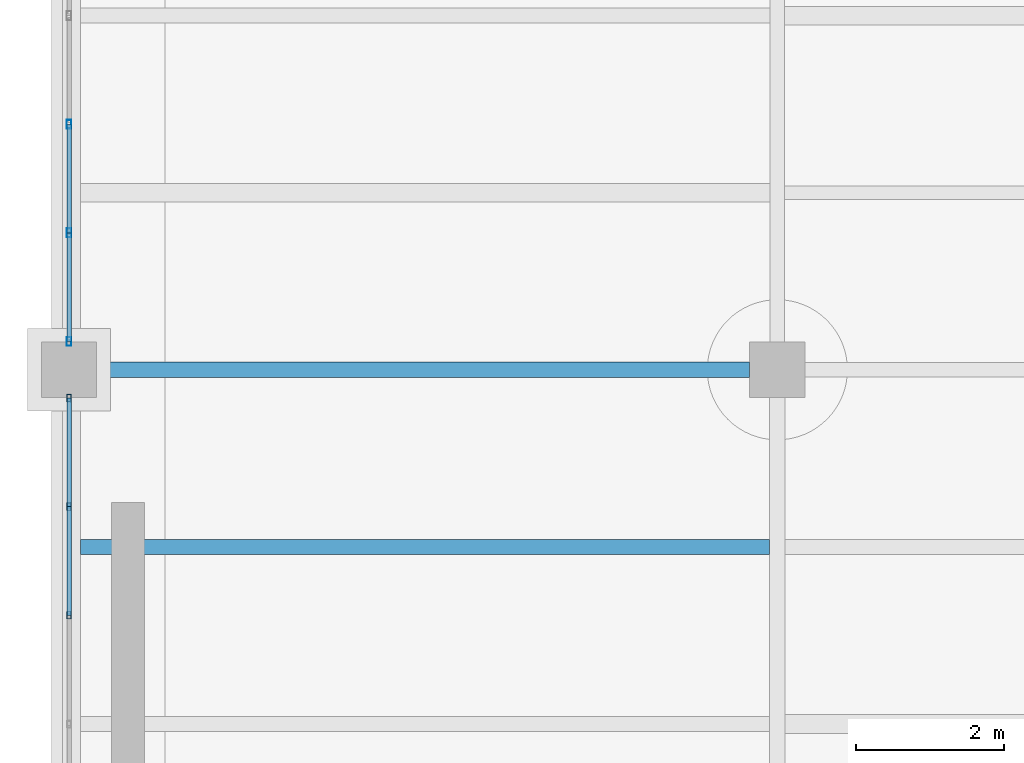
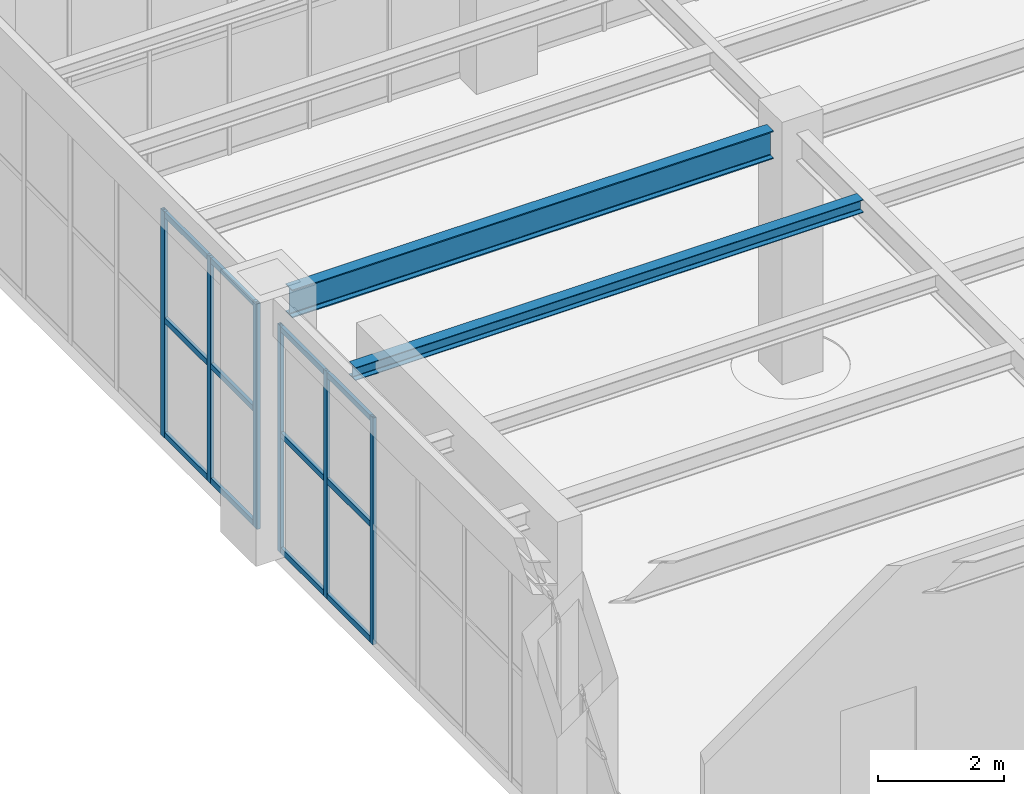
# One storey, part 14 of 174: 18 members, 2 beams, 2 elements without a shape of their own.
"""IFC4 building model written with IfcOpenShell, lengths in metres."""

from ifc_helpers import new_model, si_unit, direction, frame, origin, origin_2d, place, context, subcontext, project, spatial, hollow_rectangle, i_section, extrude, material, material_profile, profile_set, type_object, element, aggregate, save


model = new_model("IFC4")

# Units and contexts
model_context = context("Model", 3, precision=1e-05, world=origin(), true_north=direction((0.0, 1.0)))
body_context = subcontext(model_context, "Body", "Model", "MODEL_VIEW")
ifc_project = project(units=[si_unit("LENGTHUNIT", "METRE"), si_unit("AREAUNIT", "SQUARE_METRE"), si_unit("VOLUMEUNIT", "CUBIC_METRE"), si_unit("PLANEANGLEUNIT", "RADIAN"), si_unit("MASSUNIT", "GRAM", prefix="KILO")], contexts=[model_context])

# Site, building, storey
site_placement = place(None, origin())
site = spatial("IfcSite", under=ifc_project, at=site_placement, CompositionType="ELEMENT")
building_placement = place(site_placement, origin())
building = spatial("IfcBuilding", under=site, at=building_placement, Name="Mavantir Sound Aquarium", CompositionType="ELEMENT")
storey_placement = place(building_placement, frame((0.0, 0.0, 5.39990234375)))
storey = spatial("IfcBuildingStorey", under=building, at=storey_placement, Name="L01", CompositionType="ELEMENT", Elevation=5.39990234375)

# Beams
ifc_material_1 = material(Name="Structural Steel ASTM A992 Gr50", Category="steel")
ifc_material_profile_1 = material_profile(ifc_material_1, i_section(OverallWidth=0.202880859375, OverallDepth=0.251953125, WebThickness=0.008056640625, FlangeThickness=0.013427734375, FilletRadius=0.011962890625, at=origin_2d()), Name="W250X58")
ifc_profile_set_1 = profile_set([ifc_material_profile_1], Name="Structural Steel ASTM A992 Gr50")
beam_type_1 = type_object("IfcBeamType", Name="BM-W250X58-I", PredefinedType="JOIST", material=ifc_profile_set_1)
beam_1_placement = place(storey_placement, frame((0.152587890625, 16.800048828125, 4.670166015625), z_axis=(1.0, 0.0, 0.0), x_axis=(0.0, 1.0, 0.0)))
element("IfcBeam", 1, at=beam_1_placement, inside=storey, type_object=beam_type_1, Name="L01 secondary floor joist SJ-25 700", PredefinedType="JOIST", context=body_context, shape_type="SweptSolid", body=[
    extrude(i_section(OverallWidth=0.202880859375, OverallDepth=0.251953125, WebThickness=0.008056640625, FlangeThickness=0.013427734375, FilletRadius=0.011962890625, at=origin_2d()), origin(), (0.0, 0.0, 1.0), 9.34130859375),
])
ifc_material_profile_2 = material_profile(ifc_material_1, i_section(OverallWidth=0.2119140625, OverallDepth=0.5439453125, WebThickness=0.01318359375, FlangeThickness=0.021240234375, FilletRadius=0.01806640625, at=origin_2d()), Name="W530X123")
ifc_profile_set_2 = profile_set([ifc_material_profile_2], Name="Structural Steel ASTM A992 Gr50")
beam_type_2 = type_object("IfcBeamType", Name="BM-W530X123-I", PredefinedType="BEAM", material=ifc_profile_set_2)
beam_2_placement = place(storey_placement, frame((0.375, 19.199951171875, 4.504150390625), z_axis=(1.0, 0.0, 0.0), x_axis=(0.0, 1.0, 0.0)))
element("IfcBeam", 2, at=beam_2_placement, inside=storey, type_object=beam_type_2, Name="L01 primary beam SB-53 1214", PredefinedType="BEAM", context=body_context, shape_type="SweptSolid", body=[
    extrude(i_section(OverallWidth=0.2119140625, OverallDepth=0.5439453125, WebThickness=0.01318359375, FlangeThickness=0.021240234375, FilletRadius=0.01806640625, at=origin_2d()), origin(), (0.0, 0.0, 1.0), 8.85009765625),
])

# Curtain wall, members
ifc_material_2 = material(Name="Anodised Marine Aluminium and Low-E Glass", Category="aluminium")
curtain_wall_type_1 = type_object("IfcCurtainWallType", Name="CW-T03", PredefinedType="USERDEFINED", material=ifc_material_2)
curtain_wall_1_placement = place(storey_placement, origin())
curtain_wall_1 = element("IfcCurtainWall", 3, at=curtain_wall_1_placement, inside=storey, type_object=curtain_wall_type_1, Name="L01 unitised curtain wall CW-03 75", ObjectType="UNITISED GLAZING", PredefinedType="USERDEFINED")
ifc_material_3 = material(Name="Anodised Marine Aluminium 6063-T6", Category="aluminium")
ifc_material_profile_3 = material_profile(ifc_material_3, hollow_rectangle(XDim=0.06005859375, YDim=0.10009765625, WallThickness=0.00390625, at=origin_2d()), Name="ALU-MULLION-100X60")
ifc_profile_set_3 = profile_set([ifc_material_profile_3], Name="Anodised Marine Aluminium 6063-T6")
member_type_1 = type_object("IfcMemberType", Name="CW-MUL-100", PredefinedType="MULLION", material=ifc_profile_set_3)
member_1_placement = place(storey_placement, frame((0.0, 18.81689453125, 0.0), z_axis=(0.0, 0.0, 1.0), x_axis=(1.0, 0.0, 0.0)))
member_1 = element("IfcMember", 4, at=member_1_placement, type_object=member_type_1, Name="CW-L01-075 vertical mullion 1", PredefinedType="MULLION", context=body_context, shape_type="SweptSolid", body=[
    extrude(hollow_rectangle(XDim=0.06005859375, YDim=0.10009765625, WallThickness=0.00390625, at=origin_2d()), origin(), (0.0, 0.0, 1.0), 4.4130859375),
])
member_2_placement = place(storey_placement, frame((0.0, 17.3447265625, 0.0), z_axis=(0.0, 0.0, 1.0), x_axis=(1.0, 0.0, 0.0)))
member_2 = element("IfcMember", 5, at=member_2_placement, type_object=member_type_1, Name="CW-L01-075 vertical mullion 2", PredefinedType="MULLION", context=body_context, shape_type="SweptSolid", body=[
    extrude(hollow_rectangle(XDim=0.06005859375, YDim=0.10009765625, WallThickness=0.00390625, at=origin_2d()), origin(), (0.0, 0.0, 1.0), 4.4130859375),
])
member_3_placement = place(storey_placement, frame((0.0, 15.872314453125, 0.0), z_axis=(0.0, 0.0, 1.0), x_axis=(1.0, 0.0, 0.0)))
member_3 = element("IfcMember", 6, at=member_3_placement, type_object=member_type_1, Name="CW-L01-075 vertical mullion 3", PredefinedType="MULLION", context=body_context, shape_type="SweptSolid", body=[
    extrude(hollow_rectangle(XDim=0.06005859375, YDim=0.10009765625, WallThickness=0.00390625, at=origin_2d()), origin(), (0.0, 0.0, 1.0), 4.4130859375),
])

curtain_wall_type_2 = type_object("IfcCurtainWallType", Name="CW-T02", PredefinedType="USERDEFINED", material=ifc_material_2)
curtain_wall_2_placement = place(storey_placement, origin())
curtain_wall_2 = element("IfcCurtainWall", 7, at=curtain_wall_2_placement, inside=storey, type_object=curtain_wall_type_2, Name="L01 unitised curtain wall CW-02 74", ObjectType="UNITISED GLAZING", PredefinedType="USERDEFINED")
ifc_material_profile_4 = material_profile(ifc_material_3, hollow_rectangle(XDim=0.06494140625, YDim=0.1201171875, WallThickness=0.00390625, at=origin_2d()), Name="ALU-MULLION-120X65")
ifc_profile_set_4 = profile_set([ifc_material_profile_4], Name="Anodised Marine Aluminium 6063-T6")
member_type_2 = type_object("IfcMemberType", Name="CW-MUL-120", PredefinedType="MULLION", material=ifc_profile_set_4)
member_4_placement = place(storey_placement, frame((0.0, 22.527587890625, 0.0), z_axis=(0.0, 0.0, 1.0), x_axis=(1.0, 0.0, 0.0)))
member_4 = element("IfcMember", 8, at=member_4_placement, type_object=member_type_2, Name="CW-L01-074 vertical mullion 5", PredefinedType="MULLION", context=body_context, shape_type="SweptSolid", body=[
    extrude(hollow_rectangle(XDim=0.06494140625, YDim=0.1201171875, WallThickness=0.00390625, at=origin_2d()), origin(), (0.0, 0.0, 1.0), 4.39306640625),
])
member_5_placement = place(storey_placement, frame((0.0, 21.055419921875, 0.0), z_axis=(0.0, 0.0, 1.0), x_axis=(1.0, 0.0, 0.0)))
member_5 = element("IfcMember", 9, at=member_5_placement, type_object=member_type_2, Name="CW-L01-074 vertical mullion 6", PredefinedType="MULLION", context=body_context, shape_type="SweptSolid", body=[
    extrude(hollow_rectangle(XDim=0.06494140625, YDim=0.1201171875, WallThickness=0.00390625, at=origin_2d()), origin(), (0.0, 0.0, 1.0), 4.39306640625),
])
member_6_placement = place(storey_placement, frame((0.0, 19.5830078125, 0.0), z_axis=(0.0, 0.0, 1.0), x_axis=(1.0, 0.0, 0.0)))
member_6 = element("IfcMember", 10, at=member_6_placement, type_object=member_type_2, Name="CW-L01-074 vertical mullion 7", PredefinedType="MULLION", context=body_context, shape_type="SweptSolid", body=[
    extrude(hollow_rectangle(XDim=0.06494140625, YDim=0.1201171875, WallThickness=0.00390625, at=origin_2d()), origin(), (0.0, 0.0, 1.0), 4.39306640625),
])
ifc_material_profile_5 = material_profile(ifc_material_3, hollow_rectangle(XDim=0.06005859375, YDim=0.110107421875, WallThickness=0.00390625, at=origin_2d()), Name="ALU-TRANSOM-110X60")
ifc_profile_set_5 = profile_set([ifc_material_profile_5], Name="Anodised Marine Aluminium 6063-T6")
member_type_3 = type_object("IfcMemberType", Name="CW-TRN-110", PredefinedType="USERDEFINED", material=ifc_profile_set_5)
member_7_placement = place(storey_placement, frame((0.0, 22.527587890625, 0.05517578125), z_axis=(0.0, -1.0, 0.0), x_axis=(1.0, 0.0, 0.0)))
member_7 = element("IfcMember", 11, at=member_7_placement, type_object=member_type_3, Name="CW-L01-074 transom 5.1", ObjectType="TRANSOM", PredefinedType="USERDEFINED", context=body_context, shape_type="SweptSolid", body=[
    extrude(hollow_rectangle(XDim=0.06005859375, YDim=0.110107421875, WallThickness=0.00390625, at=origin_2d()), origin(), (0.0, 0.0, 1.0), 1.47216796875),
])
member_8_placement = place(storey_placement, frame((0.0, 22.527587890625, 2.284423828125), z_axis=(0.0, -1.0, 0.0), x_axis=(1.0, 0.0, 0.0)))
member_8 = element("IfcMember", 12, at=member_8_placement, type_object=member_type_3, Name="CW-L01-074 transom 5.2", ObjectType="TRANSOM", PredefinedType="USERDEFINED", context=body_context, shape_type="SweptSolid", body=[
    extrude(hollow_rectangle(XDim=0.06005859375, YDim=0.110107421875, WallThickness=0.00390625, at=origin_2d()), origin(), (0.0, 0.0, 1.0), 1.47216796875),
])
member_9_placement = place(storey_placement, frame((0.0, 22.527587890625, 4.338134765625), z_axis=(0.0, -1.0, 0.0), x_axis=(1.0, 0.0, 0.0)))
member_9 = element("IfcMember", 13, at=member_9_placement, type_object=member_type_3, Name="CW-L01-074 transom 5.3", ObjectType="TRANSOM", PredefinedType="USERDEFINED", context=body_context, shape_type="SweptSolid", body=[
    extrude(hollow_rectangle(XDim=0.06005859375, YDim=0.110107421875, WallThickness=0.00390625, at=origin_2d()), origin(), (0.0, 0.0, 1.0), 1.47216796875),
])
member_10_placement = place(storey_placement, frame((0.0, 21.055419921875, 0.05517578125), z_axis=(0.0, -1.0, 0.0), x_axis=(1.0, 0.0, 0.0)))
member_10 = element("IfcMember", 14, at=member_10_placement, type_object=member_type_3, Name="CW-L01-074 transom 6.1", ObjectType="TRANSOM", PredefinedType="USERDEFINED", context=body_context, shape_type="SweptSolid", body=[
    extrude(hollow_rectangle(XDim=0.06005859375, YDim=0.110107421875, WallThickness=0.00390625, at=origin_2d()), origin(), (0.0, 0.0, 1.0), 1.472412109375),
])
member_11_placement = place(storey_placement, frame((0.0, 21.055419921875, 2.284423828125), z_axis=(0.0, -1.0, 0.0), x_axis=(1.0, 0.0, 0.0)))
member_11 = element("IfcMember", 15, at=member_11_placement, type_object=member_type_3, Name="CW-L01-074 transom 6.2", ObjectType="TRANSOM", PredefinedType="USERDEFINED", context=body_context, shape_type="SweptSolid", body=[
    extrude(hollow_rectangle(XDim=0.06005859375, YDim=0.110107421875, WallThickness=0.00390625, at=origin_2d()), origin(), (0.0, 0.0, 1.0), 1.472412109375),
])
member_12_placement = place(storey_placement, frame((0.0, 21.055419921875, 4.338134765625), z_axis=(0.0, -1.0, 0.0), x_axis=(1.0, 0.0, 0.0)))
member_12 = element("IfcMember", 16, at=member_12_placement, type_object=member_type_3, Name="CW-L01-074 transom 6.3", ObjectType="TRANSOM", PredefinedType="USERDEFINED", context=body_context, shape_type="SweptSolid", body=[
    extrude(hollow_rectangle(XDim=0.06005859375, YDim=0.110107421875, WallThickness=0.00390625, at=origin_2d()), origin(), (0.0, 0.0, 1.0), 1.472412109375),
])
aggregate(curtain_wall_2, [member_4, member_5, member_6, member_7, member_8, member_9, member_10, member_11, member_12])

# Member
member_13_placement = place(storey_placement, frame((0.0, 18.81689453125, 0.05517578125), z_axis=(0.0, -1.0, 0.0), x_axis=(1.0, 0.0, 0.0)))
member_13 = element("IfcMember", 17, at=member_13_placement, type_object=member_type_3, Name="CW-L01-075 transom 1.1", ObjectType="TRANSOM", PredefinedType="USERDEFINED", context=body_context, shape_type="SweptSolid", body=[
    extrude(hollow_rectangle(XDim=0.06005859375, YDim=0.110107421875, WallThickness=0.00390625, at=origin_2d()), origin(), (0.0, 0.0, 1.0), 1.47216796875),
])

member_14_placement = place(storey_placement, frame((0.0, 18.81689453125, 2.294921875), z_axis=(0.0, -1.0, 0.0), x_axis=(1.0, 0.0, 0.0)))
member_14 = element("IfcMember", 18, at=member_14_placement, type_object=member_type_3, Name="CW-L01-075 transom 1.2", ObjectType="TRANSOM", PredefinedType="USERDEFINED", context=body_context, shape_type="SweptSolid", body=[
    extrude(hollow_rectangle(XDim=0.06005859375, YDim=0.110107421875, WallThickness=0.00390625, at=origin_2d()), origin(), (0.0, 0.0, 1.0), 1.47216796875),
])

member_15_placement = place(storey_placement, frame((0.0, 18.81689453125, 4.358154296875), z_axis=(0.0, -1.0, 0.0), x_axis=(1.0, 0.0, 0.0)))
member_15 = element("IfcMember", 19, at=member_15_placement, type_object=member_type_3, Name="CW-L01-075 transom 1.3", ObjectType="TRANSOM", PredefinedType="USERDEFINED", context=body_context, shape_type="SweptSolid", body=[
    extrude(hollow_rectangle(XDim=0.06005859375, YDim=0.110107421875, WallThickness=0.00390625, at=origin_2d()), origin(), (0.0, 0.0, 1.0), 1.47216796875),
])

member_16_placement = place(storey_placement, frame((0.0, 17.3447265625, 0.05517578125), z_axis=(0.0, -1.0, 0.0), x_axis=(1.0, 0.0, 0.0)))
member_16 = element("IfcMember", 20, at=member_16_placement, type_object=member_type_3, Name="CW-L01-075 transom 2.1", ObjectType="TRANSOM", PredefinedType="USERDEFINED", context=body_context, shape_type="SweptSolid", body=[
    extrude(hollow_rectangle(XDim=0.06005859375, YDim=0.110107421875, WallThickness=0.00390625, at=origin_2d()), origin(), (0.0, 0.0, 1.0), 1.472412109375),
])

member_17_placement = place(storey_placement, frame((0.0, 17.3447265625, 2.294921875), z_axis=(0.0, -1.0, 0.0), x_axis=(1.0, 0.0, 0.0)))
member_17 = element("IfcMember", 21, at=member_17_placement, type_object=member_type_3, Name="CW-L01-075 transom 2.2", ObjectType="TRANSOM", PredefinedType="USERDEFINED", context=body_context, shape_type="SweptSolid", body=[
    extrude(hollow_rectangle(XDim=0.06005859375, YDim=0.110107421875, WallThickness=0.00390625, at=origin_2d()), origin(), (0.0, 0.0, 1.0), 1.472412109375),
])

member_18_placement = place(storey_placement, frame((0.0, 17.3447265625, 4.358154296875), z_axis=(0.0, -1.0, 0.0), x_axis=(1.0, 0.0, 0.0)))
member_18 = element("IfcMember", 22, at=member_18_placement, type_object=member_type_3, Name="CW-L01-075 transom 2.3", ObjectType="TRANSOM", PredefinedType="USERDEFINED", context=body_context, shape_type="SweptSolid", body=[
    extrude(hollow_rectangle(XDim=0.06005859375, YDim=0.110107421875, WallThickness=0.00390625, at=origin_2d()), origin(), (0.0, 0.0, 1.0), 1.472412109375),
])

aggregate(curtain_wall_1, [member_1, member_2, member_3, member_13, member_14, member_15, member_16, member_17, member_18])

save(model, "model.ifc")
